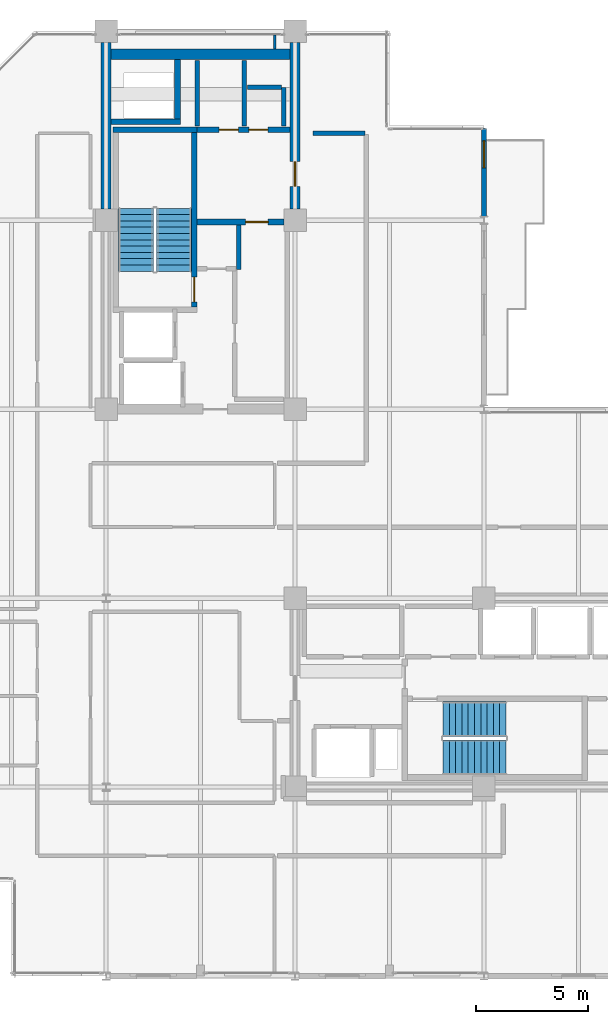
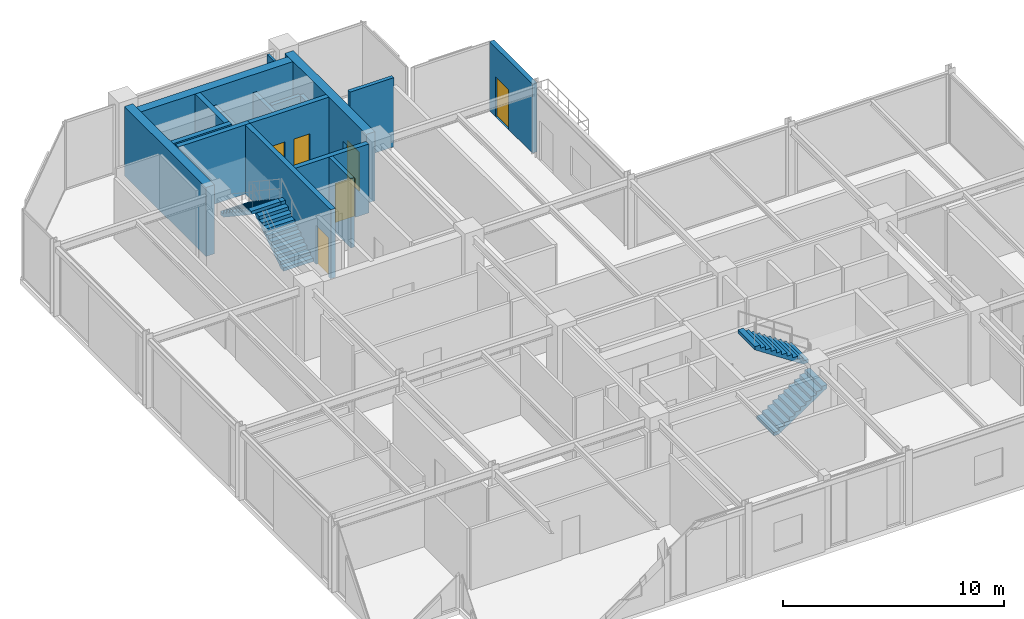
# One storey, part 22 of 25: 17 walls, 6 doors, 4 stair flights, 6 openings, 2 elements without a shape of their own.
"""IFC4 building model written with IfcOpenShell, lengths in metres."""

from ifc_helpers import new_model, si_unit, direction, frame, frame_2d, origin, place, context, subcontext, project, spatial, polyline, rectangle, outline, extrude, material, layer, layer_set, type_object, element, fill, aggregate, save


model = new_model("IFC4")

# Units and contexts
model_context = context("Model", 3, precision=1e-05, world=origin(), true_north=direction((0.0, 1.0)))
body_context = subcontext(model_context, "Body", "Model", "MODEL_VIEW")
ifc_project = project(units=[si_unit("LENGTHUNIT", "METRE"), si_unit("AREAUNIT", "SQUARE_METRE"), si_unit("VOLUMEUNIT", "CUBIC_METRE"), si_unit("PLANEANGLEUNIT", "RADIAN"), si_unit("MASSUNIT", "GRAM", prefix="KILO")], contexts=[model_context])

# Site, building, storey
site_placement = place(None, origin())
site = spatial("IfcSite", under=ifc_project, at=site_placement, CompositionType="ELEMENT")
building_placement = place(site_placement, origin())
building = spatial("IfcBuilding", under=site, at=building_placement, Name="Nerrivon Quay Data Exchange", CompositionType="ELEMENT")
storey_placement = place(building_placement, frame((0.0, 0.0, 232.89990234375)))
storey = spatial("IfcBuildingStorey", under=building, at=storey_placement, Name="L55", CompositionType="ELEMENT", Elevation=232.89990234375)

# Wall, opening, door
ifc_material_1 = material(Name="Architectural terracotta precast concrete N50 (50 MPa)", Category="masonry")
ifc_layer_1 = layer(ifc_material_1, 0.239990234375)
ifc_layer_set_1 = layer_set([ifc_layer_1], Name="Architectural terracotta precast concrete N50 (50 MPa)")
wall_type_1 = type_object("IfcWallType", Name="EW-PREC-240", PredefinedType="STANDARD", material=ifc_layer_set_1)
wall_1_placement = place(storey_placement, frame((25.199951171875, 37.679931640625, 0.0), z_axis=(0.0, 0.0, 1.0), x_axis=(0.0, -1.0, 0.0)))
wall_1 = element("IfcWall", 1, at=wall_1_placement, inside=storey, type_object=wall_type_1, Name="L55 Terrace Host Wall 22", PredefinedType="STANDARD", context=body_context, shape_type="SweptSolid", body=[
    extrude(rectangle(XDim=3.905029296875, YDim=0.239990234375, at=frame_2d((1.95263671875, 0.0))), origin(), (0.0, 0.0, 1.0), 3.8251953125),
])
opening_1_placement = place(wall_1_placement, frame((0.550048828125, 0.0, 0.0)))
opening_1 = element("IfcOpeningElement", 2, at=opening_1_placement, cuts=wall_1, Name="Opening TD1", PredefinedType="OPENING", context=body_context, shape_type="SweptSolid", body=[
    extrude(rectangle(XDim=1.199951171875, YDim=2.199951171875, at=frame_2d((0.60009765625, 1.10009765625))), frame((0.0, 0.1298828125, 0.0), z_axis=(0.0, -1.0, 0.0), x_axis=(1.0, 0.0, 0.0)), (0.0, 0.0, 1.0), 0.260009765625),
])
ifc_material_2 = material(Name="Double-glazed low-E solar control glass", Category="glass")
door_type_1 = type_object("IfcDoorType", Name="DR-TERR-1200x2200", OperationType="NOTDEFINED", PredefinedType="DOOR", material=ifc_material_2)
door_1_placement = place(opening_1_placement, origin())
door_1 = element("IfcDoor", 3, at=door_1_placement, inside=storey, type_object=door_type_1, Name="L55 Outdoor Terrace Access Door 22", OperationType="SINGLE_SWING_LEFT", OverallHeight=2.199951171875, OverallWidth=1.199951171875, PredefinedType="DOOR", context=body_context, shape_type="SweptSolid", body=[
    extrude(rectangle(XDim=1.199951171875, YDim=2.199951171875, at=frame_2d((0.60009765625, 1.10009765625))), frame((0.0, 0.02490234375, 0.0), z_axis=(0.0, -1.0, 0.0), x_axis=(1.0, 0.0, 0.0)), (0.0, 0.0, 1.0), 0.050048828125),
])
fill(opening_1, door_1)

# Walls
ifc_material_3 = material(Name="Concrete N50 (50 MPa)", Category="concrete")
ifc_layer_2 = layer(ifc_material_3, 0.449951171875)
ifc_layer_set_2 = layer_set([ifc_layer_2], Name="Concrete N50 (50 MPa)")
wall_type_2 = type_object("IfcWallType", Name="WALL-CW-550", PredefinedType="SHEAR", material=ifc_layer_set_2)
wall_2_placement = place(storey_placement, frame((8.39990234375, 34.10009765625, 0.0), z_axis=(0.0, 0.0, 1.0), x_axis=(0.0, 1.0, 0.0)))
element("IfcWall", 4, at=wall_2_placement, inside=storey, type_object=wall_type_2, Name="L55 West Split-Core Shear Wall WCW-W2", PredefinedType="SHEAR", context=body_context, shape_type="SweptSolid", body=[
    extrude(rectangle(XDim=7.39990234375, YDim=0.449951171875, at=frame_2d((3.699951171875, 0.0))), origin(), (0.0, 0.0, 1.0), 3.8251953125),
])
wall_3_placement = place(storey_placement, frame((8.625, 40.97509765625, 0.0), z_axis=(0.0, 0.0, 1.0), x_axis=(1.0, 0.0, 0.0)))
element("IfcWall", 5, at=wall_3_placement, inside=storey, type_object=wall_type_2, Name="L55 West Split-Core Shear Wall WCW-N1", PredefinedType="SHEAR", context=body_context, shape_type="SweptSolid", body=[
    extrude(rectangle(XDim=7.949951171875, YDim=0.449951171875, at=frame_2d((3.97509765625, 0.0))), origin(), (0.0, 0.0, 1.0), 3.8251953125),
])

# Wall, opening, door
wall_4_placement = place(storey_placement, frame((16.800048828125, 34.10009765625, 0.0), z_axis=(0.0, 0.0, 1.0), x_axis=(0.0, 1.0, 0.0)))
wall_4 = element("IfcWall", 6, at=wall_4_placement, inside=storey, type_object=wall_type_2, Name="L55 West Split-Core Shear Wall WCW-E1", PredefinedType="SHEAR", context=body_context, shape_type="SweptSolid", body=[
    extrude(rectangle(XDim=7.39990234375, YDim=0.449951171875, at=frame_2d((3.699951171875, 0.0))), origin(), (0.0, 0.0, 1.0), 3.8251953125),
])
opening_2_placement = place(wall_4_placement, frame((1.0, 0.0, 0.0)))
opening_2 = element("IfcOpeningElement", 7, at=opening_2_placement, cuts=wall_4, Name="Opening FD-120", PredefinedType="OPENING", context=body_context, shape_type="SweptSolid", body=[
    extrude(rectangle(XDim=1.10009765625, YDim=2.14990234375, at=frame_2d((0.550048828125, 1.074951171875))), frame((0.0, 0.23486328125, 0.0), z_axis=(0.0, -1.0, 0.0), x_axis=(1.0, 0.0, 0.0)), (0.0, 0.0, 1.0), 0.469970703125),
])
ifc_material_4 = material(Name="Powder-coated galvanized steel sheet", Category="steel")
door_type_2 = type_object("IfcDoorType", Name="DR-FD120-1100", OperationType="NOTDEFINED", PredefinedType="DOOR", material=ifc_material_4)
door_2_placement = place(opening_2_placement, origin())
door_2 = element("IfcDoor", 8, at=door_2_placement, inside=storey, type_object=door_type_2, Name="L55 West Core Lobby Fire Door", OperationType="SINGLE_SWING_LEFT", OverallHeight=2.14990234375, OverallWidth=1.10009765625, PredefinedType="DOOR", context=body_context, shape_type="SweptSolid", body=[
    extrude(rectangle(XDim=1.10009765625, YDim=2.14990234375, at=frame_2d((0.550048828125, 1.074951171875))), frame((0.0, 0.02490234375, 0.0), z_axis=(0.0, -1.0, 0.0), x_axis=(1.0, 0.0, 0.0)), (0.0, 0.0, 1.0), 0.050048828125),
])
fill(opening_2, door_2)

# Walls
ifc_material_5 = material(Name="Gypsum plasterboard on cold-formed framing", Category="gypsum")
ifc_layer_3 = layer(ifc_material_5, 0.199951171875)
ifc_layer_set_3 = layer_set([ifc_layer_3], Name="Gypsum plasterboard on cold-formed framing")
wall_type_3 = type_object("IfcWallType", Name="WALL-FW-200", PredefinedType="PARTITIONING", material=ifc_layer_set_3)
wall_5_placement = place(storey_placement, frame((14.300048828125, 33.39111328125, 0.0), z_axis=(0.0, 0.0, 1.0), x_axis=(0.0, -1.0, 0.0)))
element("IfcWall", 9, at=wall_5_placement, inside=storey, type_object=wall_type_3, Name="L55 Partition Core Equipment Store", PredefinedType="PARTITIONING", context=body_context, shape_type="SweptSolid", body=[
    extrude(rectangle(XDim=1.9912109375, YDim=0.199951171875, at=frame_2d((0.99560546875, 0.0))), origin(), (0.0, 0.0, 1.0), 3.8251953125),
])
for number, where, z_axis, x_axis, name in (
    (10, (14.550048828125, 37.780029296875, 0.0), (0.0, 0.0, 1.0), (0.0, 1.0, 0.0), "L55 Partition Electrical Switchboard Closet"),
    (11, (12.449951171875, 40.699951171875, 0.0), (0.0, 0.0, 1.0), (0.0, -1.0, 0.0), "L55 Partition Electrical Switchboard Closet"),
):
    element("IfcWall", number, at=place(storey_placement, frame(where, z_axis=z_axis, x_axis=x_axis)), inside=storey, type_object=wall_type_3, Name=name, PredefinedType="PARTITIONING", context=body_context, shape_type="SweptSolid", body=[
        extrude(rectangle(XDim=2.919921875, YDim=0.199951171875, at=frame_2d((1.4599609375, 0.0))), origin(), (0.0, 0.0, 1.0), 2.875),
    ])
wall_6_placement = place(storey_placement, frame((16.300048828125, 37.780029296875, 0.0), z_axis=(0.0, 0.0, 1.0), x_axis=(0.0, 1.0, 0.0)))
element("IfcWall", 12, at=wall_6_placement, inside=storey, type_object=wall_type_3, Name="L55 Partition Janitor Closet", PredefinedType="PARTITIONING", context=body_context, shape_type="SweptSolid", body=[
    extrude(rectangle(XDim=1.719970703125, YDim=0.199951171875, at=frame_2d((0.85986328125, 0.0))), origin(), (0.0, 0.0, 1.0), 2.875),
])
wall_7_placement = place(storey_placement, frame((16.196044921875, 39.5, 0.0), z_axis=(0.0, 0.0, 1.0), x_axis=(-1.0, 0.0, 0.0)))
element("IfcWall", 13, at=wall_7_placement, inside=storey, type_object=wall_type_3, Name="L55 Partition Janitor Closet", PredefinedType="PARTITIONING", context=body_context, shape_type="SweptSolid", body=[
    extrude(rectangle(XDim=1.506103515625, YDim=0.199951171875, at=frame_2d((0.7529296875, 0.0))), origin(), (0.0, 0.0, 1.0), 2.875),
])
wall_8_placement = place(storey_placement, frame((17.60009765625, 37.4599609375, 0.0), z_axis=(0.0, 0.0, 1.0), x_axis=(1.0, 0.0, 0.0)))
element("IfcWall", 14, at=wall_8_placement, inside=storey, type_object=wall_type_3, Name="L55 Partition Colocation Data Workspace 6", PredefinedType="PARTITIONING", context=body_context, shape_type="SweptSolid", body=[
    extrude(rectangle(XDim=2.2998046875, YDim=0.199951171875, at=frame_2d((1.14990234375, 0.0))), origin(), (0.0, 0.0, 1.0), 3.8251953125),
])
ifc_layer_4 = layer(ifc_material_5, 0.1201171875)
ifc_layer_set_4 = layer_set([ifc_layer_4], Name="Gypsum plasterboard on cold-formed framing")
wall_type_4 = type_object("IfcWallType", Name="WALL-PT-120", PredefinedType="PARTITIONING", material=ifc_layer_set_4)
wall_9_placement = place(storey_placement, frame((15.89453125, 41.2041015625, 0.0), z_axis=(0.0, 0.0, 1.0), x_axis=(0.0, 1.0, 0.0)))
element("IfcWall", 15, at=wall_9_placement, inside=storey, type_object=wall_type_4, Name="L55 Partition Technical Library", PredefinedType="PARTITIONING", context=body_context, shape_type="SweptSolid", body=[
    extrude(rectangle(XDim=0.626953125, YDim=0.1201171875, at=frame_2d((0.3134765625, 0.0))), origin(), (0.0, 0.0, 1.0), 3.8251953125),
])
ifc_layer_5 = layer(ifc_material_3, 0.25)
ifc_layer_set_5 = layer_set([ifc_layer_5], Name="Concrete N50 (50 MPa)")
wall_type_5 = type_object("IfcWallType", Name="WALL-SW-250", PredefinedType="SHEAR", material=ifc_layer_set_5)
wall_10_placement = place(storey_placement, frame((12.449951171875, 37.625, 0.0), z_axis=(0.0, 0.0, 1.0), x_axis=(-1.0, 0.0, 0.0)))
element("IfcWall", 16, at=wall_10_placement, inside=storey, type_object=wall_type_5, Name="L55 ST01 Structural Stair Core Wall FAR", PredefinedType="SHEAR", context=body_context, shape_type="SweptSolid", body=[
    extrude(rectangle(XDim=3.75, YDim=0.25, at=frame_2d((1.875, 0.0))), origin(), (0.0, 0.0, 1.0), 3.8251953125),
])

# Wall, opening, door
wall_11_placement = place(storey_placement, frame((12.324951171875, 29.75, 0.0), z_axis=(0.0, 0.0, 1.0), x_axis=(0.0, 1.0, 0.0)))
wall_11 = element("IfcWall", 17, at=wall_11_placement, inside=storey, type_object=wall_type_5, Name="L55 ST01 Structural Stair Core Wall LEFT", PredefinedType="SHEAR", context=body_context, shape_type="SweptSolid", body=[
    extrude(rectangle(XDim=7.75, YDim=0.25, at=frame_2d((3.875, 0.0))), origin(), (0.0, 0.0, 1.0), 3.8251953125),
])
opening_3_placement = place(wall_11_placement, frame((0.219970703125, 0.0, 0.0)))
opening_3 = element("IfcOpeningElement", 18, at=opening_3_placement, cuts=wall_11, Name="Opening FD-120", PredefinedType="OPENING", context=body_context, shape_type="SweptSolid", body=[
    extrude(rectangle(XDim=1.10009765625, YDim=2.14990234375, at=frame_2d((0.550048828125, 1.074951171875))), frame((0.0, 0.135009765625, 0.0), z_axis=(0.0, -1.0, 0.0), x_axis=(1.0, 0.0, 0.0)), (0.0, 0.0, 1.0), 0.27001953125),
])
door_3_placement = place(opening_3_placement, origin())
door_3 = element("IfcDoor", 19, at=door_3_placement, inside=storey, type_object=door_type_2, Name="L55 Protected Stair Door ST01", OperationType="SINGLE_SWING_LEFT", OverallHeight=2.14990234375, OverallWidth=1.10009765625, PredefinedType="DOOR", context=body_context, shape_type="SweptSolid", body=[
    extrude(rectangle(XDim=1.10009765625, YDim=2.14990234375, at=frame_2d((0.550048828125, 1.074951171875))), frame((0.0, 0.02490234375, 0.0), z_axis=(0.0, -1.0, 0.0), x_axis=(1.0, 0.0, 0.0)), (0.0, 0.0, 1.0), 0.050048828125),
])
fill(opening_3, door_3)

# Walls
wall_12_placement = place(storey_placement, frame((8.625, 37.97509765625, 0.0), z_axis=(0.0, 0.0, 1.0), x_axis=(1.0, 0.0, 0.0)))
element("IfcWall", 20, at=wall_12_placement, inside=storey, type_object=wall_type_5, Name="L55 West Core MEP Riser Shaft Wall S", PredefinedType="SHEAR", context=body_context, shape_type="SweptSolid", body=[
    extrude(rectangle(XDim=3.074951171875, YDim=0.25, at=frame_2d((1.53759765625, 0.0))), origin(), (0.0, 0.0, 1.0), 3.8251953125),
])
wall_13_placement = place(storey_placement, frame((11.574951171875, 38.10009765625, 0.0), z_axis=(0.0, 0.0, 1.0), x_axis=(0.0, 1.0, 0.0)))
element("IfcWall", 21, at=wall_13_placement, inside=storey, type_object=wall_type_5, Name="L55 West Core MEP Riser Shaft Wall E", PredefinedType="SHEAR", context=body_context, shape_type="SweptSolid", body=[
    extrude(rectangle(XDim=2.64990234375, YDim=0.25, at=frame_2d((1.324951171875, 0.0))), origin(), (0.0, 0.0, 1.0), 3.8251953125),
])

# Wall, opening, door
wall_14_placement = place(storey_placement, frame((12.449951171875, 33.52001953125, 0.0), z_axis=(0.0, 0.0, 1.0), x_axis=(1.0, 0.0, 0.0)))
wall_14 = element("IfcWall", 22, at=wall_14_placement, inside=storey, type_object=wall_type_5, Name="L55 West Lobby Smoke-Stop Wall", PredefinedType="SHEAR", context=body_context, shape_type="SweptSolid", body=[
    extrude(rectangle(XDim=3.85009765625, YDim=0.25, at=frame_2d((1.925048828125, 0.0))), origin(), (0.0, 0.0, 1.0), 3.8251953125),
])
opening_4_placement = place(wall_14_placement, frame((2.14990234375, 0.0, 0.0)))
opening_4 = element("IfcOpeningElement", 23, at=opening_4_placement, cuts=wall_14, Name="Opening FD-60", PredefinedType="OPENING", context=body_context, shape_type="SweptSolid", body=[
    extrude(rectangle(XDim=1.0, YDim=2.14990234375, at=frame_2d((0.5, 1.074951171875))), frame((0.0, 0.135009765625, 0.0), z_axis=(0.0, -1.0, 0.0), x_axis=(1.0, 0.0, 0.0)), (0.0, 0.0, 1.0), 0.27001953125),
])
ifc_material_6 = material(Name="Engineered hardwood timber", Category="wood")
door_type_3 = type_object("IfcDoorType", Name="DR-FD60-1000", OperationType="NOTDEFINED", PredefinedType="DOOR", material=ifc_material_6)
door_4_placement = place(opening_4_placement, origin())
door_4 = element("IfcDoor", 24, at=door_4_placement, inside=storey, type_object=door_type_3, Name="L55 West Firefighting Lobby Fire Door", OperationType="SINGLE_SWING_LEFT", OverallHeight=2.14990234375, OverallWidth=1.0, PredefinedType="DOOR", context=body_context, shape_type="SweptSolid", body=[
    extrude(rectangle(XDim=1.0, YDim=2.14990234375, at=frame_2d((0.5, 1.074951171875))), frame((0.0, 0.02490234375, 0.0), z_axis=(0.0, -1.0, 0.0), x_axis=(1.0, 0.0, 0.0)), (0.0, 0.0, 1.0), 0.050048828125),
])
fill(opening_4, door_4)

# Wall, openings, doors
wall_15_placement = place(storey_placement, frame((12.449951171875, 37.625, 0.0), z_axis=(0.0, 0.0, 1.0), x_axis=(1.0, 0.0, 0.0)))
wall_15 = element("IfcWall", 25, at=wall_15_placement, inside=storey, type_object=wall_type_5, Name="L55 West Firefighting Lobby Wall", PredefinedType="SHEAR", context=body_context, shape_type="SweptSolid", body=[
    extrude(rectangle(XDim=4.125, YDim=0.25, at=frame_2d((2.0625, 0.0))), origin(), (0.0, 0.0, 1.0), 3.8251953125),
])
opening_5_placement = place(wall_15_placement, frame((0.9775390625, 0.0, 0.0)))
opening_5 = element("IfcOpeningElement", 26, at=opening_5_placement, cuts=wall_15, Name="Opening FD-60S", PredefinedType="OPENING", context=body_context, shape_type="SweptSolid", body=[
    extrude(rectangle(XDim=0.85009765625, YDim=2.14990234375, at=frame_2d((0.425048828125, 1.074951171875))), frame((0.0, 0.135009765625, 0.0), z_axis=(0.0, -1.0, 0.0), x_axis=(1.0, 0.0, 0.0)), (0.0, 0.0, 1.0), 0.27001953125),
])
opening_6_placement = place(wall_15_placement, frame((2.297607421875, 0.0, 0.0)))
opening_6 = element("IfcOpeningElement", 27, at=opening_6_placement, cuts=wall_15, Name="Opening FD-60S", PredefinedType="OPENING", context=body_context, shape_type="SweptSolid", body=[
    extrude(rectangle(XDim=0.85009765625, YDim=2.14990234375, at=frame_2d((0.425048828125, 1.074951171875))), frame((0.0, 0.135009765625, 0.0), z_axis=(0.0, -1.0, 0.0), x_axis=(1.0, 0.0, 0.0)), (0.0, 0.0, 1.0), 0.27001953125),
])
door_type_4 = type_object("IfcDoorType", Name="DR-FD60-850", OperationType="NOTDEFINED", PredefinedType="DOOR", material=ifc_material_6)
door_5_placement = place(opening_5_placement, origin())
door_5 = element("IfcDoor", 28, at=door_5_placement, inside=storey, type_object=door_type_4, Name="L55 Door Electrical Switchboard Closet", OperationType="SINGLE_SWING_LEFT", OverallHeight=2.14990234375, OverallWidth=0.85009765625, PredefinedType="DOOR", context=body_context, shape_type="SweptSolid", body=[
    extrude(rectangle(XDim=0.85009765625, YDim=2.14990234375, at=frame_2d((0.425048828125, 1.074951171875))), frame((0.0, 0.02490234375, 0.0), z_axis=(0.0, -1.0, 0.0), x_axis=(1.0, 0.0, 0.0)), (0.0, 0.0, 1.0), 0.050048828125),
])
fill(opening_5, door_5)
door_6_placement = place(opening_6_placement, origin())
door_6 = element("IfcDoor", 29, at=door_6_placement, inside=storey, type_object=door_type_4, Name="L55 Door Janitor Closet", OperationType="SINGLE_SWING_RIGHT", OverallHeight=2.14990234375, OverallWidth=0.85009765625, PredefinedType="DOOR", context=body_context, shape_type="SweptSolid", body=[
    extrude(rectangle(XDim=0.85009765625, YDim=2.14990234375, at=frame_2d((0.425048828125, 1.074951171875))), frame((0.0, 0.02490234375, 0.0), z_axis=(0.0, -1.0, 0.0), x_axis=(1.0, 0.0, 0.0)), (0.0, 0.0, 1.0), 0.050048828125),
])
fill(opening_6, door_6)

# Stair, stair flights
stair_type = type_object("IfcStairType", Name="STAIR-DOG-41", PredefinedType="HALF_TURN_STAIR", material=ifc_material_3)
stair_1_placement = place(storey_placement, origin())
stair_1 = element("IfcStair", 30, at=stair_1_placement, inside=storey, type_object=stair_type, Name="L55 West Core Fire Stair ST01", PredefinedType="HALF_TURN_STAIR")
stair_flight_type = type_object("IfcStairFlightType", Name="FLIGHT-DOG-41", PredefinedType="STRAIGHT", material=ifc_material_3)
stair_flight_1_placement = place(storey_placement, frame((11.425048828125, 31.330078125, 0.0), z_axis=(0.0, 0.0, 1.0), x_axis=(0.0, 1.0, 0.0)))
stair_flight_1 = element("IfcStairFlight", 31, at=stair_flight_1_placement, type_object=stair_flight_type, Name="ST01 flight 1", NumberOfRisers=11, NumberOfTreads=10, PredefinedType="STRAIGHT", RiserHeight=0.186363636, TreadLength=0.28, context=body_context, shape_type="SweptSolid", body=[
    extrude(outline(polyline([(0.0, 0.0), (0.0, 0.186279296875), (0.280029296875, 0.186279296875), (0.280029296875, 0.372802734375), (0.56005859375, 0.372802734375), (0.56005859375, 0.55908203125), (0.840087890625, 0.55908203125), (0.840087890625, 0.745361328125), (1.1201171875, 0.745361328125), (1.1201171875, 0.931884765625), (1.39990234375, 0.931884765625), (1.39990234375, 1.1181640625), (1.679931640625, 1.1181640625), (1.679931640625, 1.304443359375), (1.9599609375, 1.304443359375), (1.9599609375, 1.490966796875), (2.239990234375, 1.490966796875), (2.239990234375, 1.67724609375), (2.52001953125, 1.67724609375), (2.52001953125, 1.863525390625), (2.800048828125, 1.863525390625), (2.800048828125, 2.050048828125), (2.800048828125, 1.68359375), (0.2705078125, 0.0), (0.0, 0.0)])), frame((0.0, 0.77490234375, 0.0), z_axis=(0.0, -1.0, 0.0), x_axis=(1.0, 0.0, 0.0)), (0.0, 0.0, 1.0), 1.550048828125),
])
stair_flight_2_placement = place(storey_placement, frame((9.72509765625, 34.1298828125, 2.050048828125), z_axis=(0.0, 0.0, 1.0), x_axis=(0.0, -1.0, 0.0)))
stair_flight_2 = element("IfcStairFlight", 32, at=stair_flight_2_placement, type_object=stair_flight_type, Name="ST01 flight 2", NumberOfRisers=11, NumberOfTreads=10, PredefinedType="STRAIGHT", RiserHeight=0.186363636, TreadLength=0.28, context=body_context, shape_type="SweptSolid", body=[
    extrude(outline(polyline([(0.0, 0.0), (0.0, 0.186279296875), (0.280029296875, 0.186279296875), (0.280029296875, 0.372802734375), (0.56005859375, 0.372802734375), (0.56005859375, 0.55908203125), (0.840087890625, 0.55908203125), (0.840087890625, 0.745361328125), (1.1201171875, 0.745361328125), (1.1201171875, 0.931884765625), (1.39990234375, 0.931884765625), (1.39990234375, 1.1181640625), (1.679931640625, 1.1181640625), (1.679931640625, 1.304443359375), (1.9599609375, 1.304443359375), (1.9599609375, 1.490966796875), (2.239990234375, 1.490966796875), (2.239990234375, 1.67724609375), (2.52001953125, 1.67724609375), (2.52001953125, 1.863525390625), (2.800048828125, 1.863525390625), (2.800048828125, 2.050048828125), (2.800048828125, 1.68359375), (0.2705078125, 0.0), (0.0, 0.0)])), frame((0.0, 0.77490234375, 0.0), z_axis=(0.0, -1.0, 0.0), x_axis=(1.0, 0.0, 0.0)), (0.0, 0.0, 1.0), 1.550048828125),
])
aggregate(stair_1, [stair_flight_1, stair_flight_2])

stair_2_placement = place(storey_placement, origin())
stair_2 = element("IfcStair", 33, at=stair_2_placement, inside=storey, type_object=stair_type, Name="L55 East Core Fire Stair ST02", PredefinedType="HALF_TURN_STAIR")
stair_flight_3_placement = place(storey_placement, frame((23.3798828125, 9.72509765625, 0.0), z_axis=(0.0, 0.0, 1.0), x_axis=(1.0, 0.0, 0.0)))
stair_flight_3 = element("IfcStairFlight", 34, at=stair_flight_3_placement, type_object=stair_flight_type, Name="ST02 flight 1", NumberOfRisers=11, NumberOfTreads=10, PredefinedType="STRAIGHT", RiserHeight=0.186363636, TreadLength=0.28, context=body_context, shape_type="SweptSolid", body=[
    extrude(outline(polyline([(0.0, 0.0), (0.0, 0.186279296875), (0.280029296875, 0.186279296875), (0.280029296875, 0.372802734375), (0.56005859375, 0.372802734375), (0.56005859375, 0.55908203125), (0.840087890625, 0.55908203125), (0.840087890625, 0.745361328125), (1.1201171875, 0.745361328125), (1.1201171875, 0.931884765625), (1.39990234375, 0.931884765625), (1.39990234375, 1.1181640625), (1.679931640625, 1.1181640625), (1.679931640625, 1.304443359375), (1.9599609375, 1.304443359375), (1.9599609375, 1.490966796875), (2.239990234375, 1.490966796875), (2.239990234375, 1.67724609375), (2.52001953125, 1.67724609375), (2.52001953125, 1.863525390625), (2.800048828125, 1.863525390625), (2.800048828125, 2.050048828125), (2.800048828125, 1.68359375), (0.2705078125, 0.0), (0.0, 0.0)])), frame((0.0, 0.77490234375, 0.0), z_axis=(0.0, -1.0, 0.0), x_axis=(1.0, 0.0, 0.0)), (0.0, 0.0, 1.0), 1.550048828125),
])
stair_flight_4_placement = place(storey_placement, frame((26.179931640625, 11.425048828125, 2.050048828125), z_axis=(0.0, 0.0, 1.0), x_axis=(-1.0, 0.0, 0.0)))
stair_flight_4 = element("IfcStairFlight", 35, at=stair_flight_4_placement, type_object=stair_flight_type, Name="ST02 flight 2", NumberOfRisers=11, NumberOfTreads=10, PredefinedType="STRAIGHT", RiserHeight=0.186363636, TreadLength=0.28, context=body_context, shape_type="SweptSolid", body=[
    extrude(outline(polyline([(0.0, 0.0), (0.0, 0.186279296875), (0.280029296875, 0.186279296875), (0.280029296875, 0.372802734375), (0.56005859375, 0.372802734375), (0.56005859375, 0.55908203125), (0.840087890625, 0.55908203125), (0.840087890625, 0.745361328125), (1.1201171875, 0.745361328125), (1.1201171875, 0.931884765625), (1.39990234375, 0.931884765625), (1.39990234375, 1.1181640625), (1.679931640625, 1.1181640625), (1.679931640625, 1.304443359375), (1.9599609375, 1.304443359375), (1.9599609375, 1.490966796875), (2.239990234375, 1.490966796875), (2.239990234375, 1.67724609375), (2.52001953125, 1.67724609375), (2.52001953125, 1.863525390625), (2.800048828125, 1.863525390625), (2.800048828125, 2.050048828125), (2.800048828125, 1.68359375), (0.2705078125, 0.0), (0.0, 0.0)])), frame((0.0, 0.77490234375, 0.0), z_axis=(0.0, -1.0, 0.0), x_axis=(1.0, 0.0, 0.0)), (0.0, 0.0, 1.0), 1.550048828125),
])
aggregate(stair_2, [stair_flight_3, stair_flight_4])

save(model, "model.ifc")
